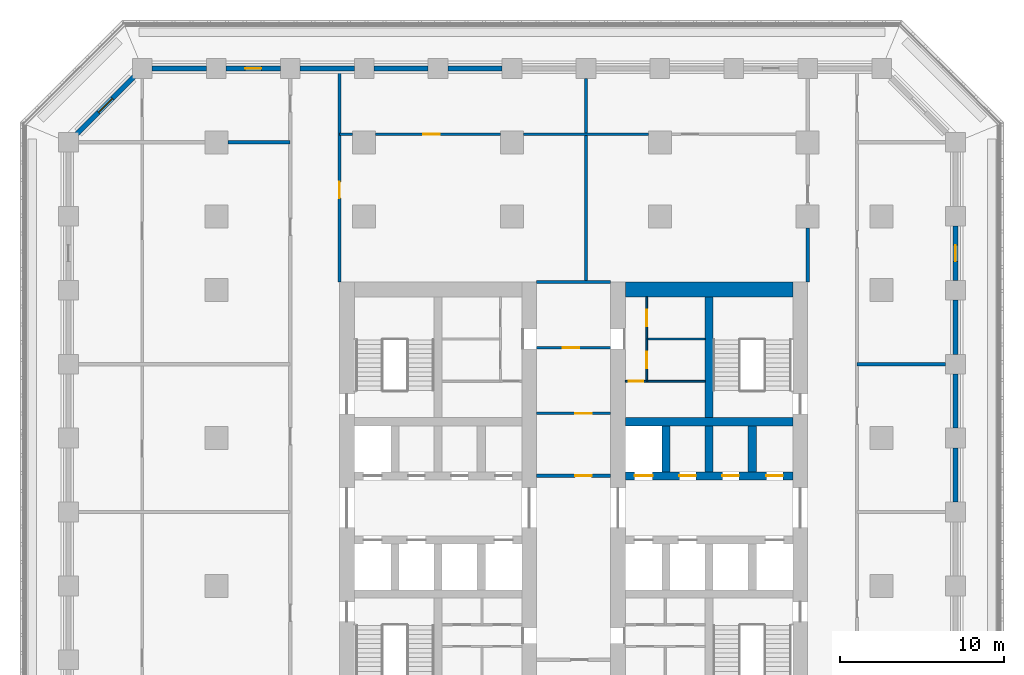
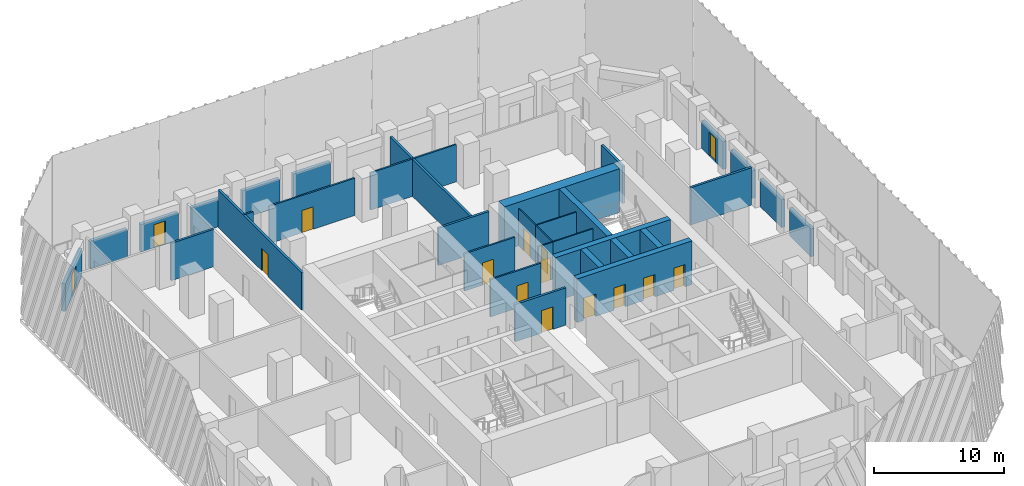
# One storey, part 6 of 17: 34 walls, 15 doors, 15 openings.
"""IFC4 building model written with IfcOpenShell, lengths in metres."""

import ifcopenshell
import ifcopenshell.guid

model = None  # the IFC model being written
_history = None  # IfcOwnerHistory: only IFC2X3 demands one
_inside = {}  # id of a spatial element -> (the spatial element, [elements in it])
_under = {}  # id of a project, library or spatial element -> (it, [spatial elements below it])
_declared = {}  # id of a project -> (the project, [libraries it declares])
_typed = {}  # id of a type object -> (the type object, [elements of that type])
_made_of = {}  # id of a material, layer set ... -> (it, [elements and type objects made of it])


def new_model(schema):
    """Start an empty IFC model of exactly this schema.

    Asked for "IFC4X3", IfcOpenShell would pick the latest addendum, in which some entities
    have other attributes; the version numbers below select the first issue.
    IFC2X3 requires an IfcOwnerHistory on every rooted entity: one is made here for all.
    """
    global model, _history
    if schema == "IFC4X3":
        model = ifcopenshell.file(schema_version=(4, 3, 0, 0))
    else:
        model = ifcopenshell.file(schema=schema)
    _inside.clear()
    _under.clear()
    _declared.clear()
    _typed.clear()
    _made_of.clear()
    _history = None
    if model.schema == "IFC2X3":
        org = make("IfcOrganization", Name="unknown")
        user = make(
            "IfcPersonAndOrganization",
            ThePerson=make("IfcPerson", FamilyName="unknown"),
            TheOrganization=org,
        )
        app = make(
            "IfcApplication",
            ApplicationDeveloper=org,
            Version="unknown",
            ApplicationFullName="unknown",
            ApplicationIdentifier="unknown",
        )
        _history = make(
            "IfcOwnerHistory",
            OwningUser=user,
            OwningApplication=app,
            ChangeAction="ADDED",
            CreationDate=0,
        )
    return model


def make(cls, **values):
    """One entity of the class cls with the attributes given. An attribute that is None is left unset."""
    return model.create_entity(
        cls, **{name: value for name, value in values.items() if value is not None}
    )


def rooted(cls, **values):
    """An entity with a GlobalId (a new one), such as an element, a storey or a relation."""
    return make(cls, GlobalId=ifcopenshell.guid.new(), OwnerHistory=_history, **values)


def si_unit(unit_type, name, prefix=None):
    """IfcSIUnit, for example si_unit("LENGTHUNIT", "METRE", prefix="MILLI")."""
    return make("IfcSIUnit", UnitType=unit_type, Prefix=prefix, Name=name)


def assignment(units):
    """IfcUnitAssignment: the units of a project."""
    return None if units is None else make("IfcUnitAssignment", Units=units)


def point(xyz):
    """IfcCartesianPoint."""
    return None if xyz is None else make("IfcCartesianPoint", Coordinates=xyz)


def direction(xyz):
    """IfcDirection."""
    return None if xyz is None else make("IfcDirection", DirectionRatios=xyz)


def frame(location, z_axis=None, x_axis=None):
    """IfcAxis2Placement3D, a coordinate frame: its origin and axes. An axis left out is left unset."""
    return make(
        "IfcAxis2Placement3D",
        Location=point(location),
        Axis=direction(z_axis),
        RefDirection=direction(x_axis),
    )


def frame_2d(location, x_axis=None):
    """IfcAxis2Placement2D, a coordinate frame in the plane: its origin and x axis."""
    return make(
        "IfcAxis2Placement2D", Location=point(location), RefDirection=direction(x_axis)
    )


def origin():
    """The frame at (0, 0, 0) with its axes left unset."""
    return frame((0.0, 0.0, 0.0))


def place(relative_to, where):
    """IfcLocalPlacement: puts the frame where relative to a parent placement (None: the world)."""
    return make(
        "IfcLocalPlacement", PlacementRelTo=relative_to, RelativePlacement=where
    )


def context(
    kind, dimensions, precision=None, world=None, true_north=None, identifier=None
):
    """IfcGeometricRepresentationContext, for example the 3D "Model" context."""
    return make(
        "IfcGeometricRepresentationContext",
        ContextIdentifier=identifier,
        ContextType=kind,
        CoordinateSpaceDimension=dimensions,
        Precision=precision,
        WorldCoordinateSystem=world,
        TrueNorth=true_north,
    )


def subcontext(parent, identifier, kind, view, scale=None):
    """IfcGeometricRepresentationSubContext, for example "Body" below "Model"."""
    return make(
        "IfcGeometricRepresentationSubContext",
        ContextIdentifier=identifier,
        ContextType=kind,
        ParentContext=parent,
        TargetScale=scale,
        TargetView=view,
    )


def project(units=None, contexts=None):
    """IfcProject with its units and contexts."""
    return rooted(
        "IfcProject",
        Name="project",
        RepresentationContexts=contexts,
        UnitsInContext=assignment(units),
    )


def spatial(cls, under=None, at=None, **own):
    """A site, building, storey or space (cls), placed at a placement, below another one or the project."""
    s = rooted(cls, ObjectPlacement=at, **own)
    if under is not None:
        _under.setdefault(under.id(), (under, []))[1].append(s)
    return s


def profile(cls, at=None, kind="AREA", **sizes):
    """A parametric profile (cls). Its sizes go by their IFC names, for example OverallWidth=200.0."""
    return make(cls, ProfileType=kind, Position=at, **sizes)


def rectangle(**sizes):
    """IfcRectangleProfileDef."""
    return profile("IfcRectangleProfileDef", **sizes)


def extrude(swept, where, along, depth):
    """IfcExtrudedAreaSolid: the profile swept, set in the frame where, extruded along a direction by depth."""
    return make(
        "IfcExtrudedAreaSolid",
        SweptArea=swept,
        Position=where,
        ExtrudedDirection=direction(along),
        Depth=depth,
    )


def shape(context_of_items, identifier, shape_type, items):
    """IfcShapeRepresentation: the items that make up one representation, for example the "Body"."""
    return make(
        "IfcShapeRepresentation",
        ContextOfItems=context_of_items,
        RepresentationIdentifier=identifier,
        RepresentationType=shape_type,
        Items=items,
    )


def material(Name=None, Category=None):
    """IfcMaterial."""
    return make("IfcMaterial", Name=Name, Category=Category)


def layer(
    of_material, thickness, ventilated=None, Name=None, Category=None, Priority=None
):
    """IfcMaterialLayer: one layer of a wall or slab, of a material (None: an air gap)."""
    return make(
        "IfcMaterialLayer",
        Material=of_material,
        LayerThickness=thickness,
        IsVentilated=ventilated,
        Name=Name,
        Category=Category,
        Priority=Priority,
    )


def layer_set(layers, Name=None):
    """IfcMaterialLayerSet."""
    return make("IfcMaterialLayerSet", MaterialLayers=layers, LayerSetName=Name)


def made_of(thing, what):
    """Note that an element or type object is made of a material, layer set ...; save() writes the relation."""
    if what is not None:
        _made_of.setdefault(what.id(), (what, []))[1].append(thing)
    return thing


def type_object(cls, material=None, **own):
    """A type object (cls), such as IfcWallType, which elements share."""
    return made_of(rooted(cls, **own), material)


def element(
    cls,
    number,
    at=None,
    inside=None,
    cuts=None,
    type_object=None,
    material=None,
    context=None,
    identifier="Body",
    shape_type=None,
    held_by="IfcProductDefinitionShape",
    body=None,
    shapes=None,
    **own,
):
    """One element of the class cls, such as IfcWall. Its Tag is "e" and its number.

    at: its placement. inside: the storey or other place that contains it. cuts: it is an
    opening in that element (IfcRelVoidsElement). A single representation is given by context,
    identifier, shape_type and body (its items); several are given by shapes. held_by: the class
    of the entity that holds the representations. save() writes the other relations.
    """
    e = rooted(cls, Tag="e%d" % number, ObjectPlacement=at, **own)
    if body is not None:
        shapes = [shape(context, identifier, shape_type, body)]
    if shapes is not None:
        e.Representation = make(held_by, Representations=shapes)
    if inside is not None:
        _inside.setdefault(inside.id(), (inside, []))[1].append(e)
    if cuts is not None:
        rooted(
            "IfcRelVoidsElement", RelatingBuildingElement=cuts, RelatedOpeningElement=e
        )
    if type_object is not None:
        _typed.setdefault(type_object.id(), (type_object, []))[1].append(e)
    return made_of(e, material)


def fill(opening, filler):
    """IfcRelFillsElement: the door or window that sits in an opening."""
    return rooted(
        "IfcRelFillsElement",
        RelatingOpeningElement=opening,
        RelatedBuildingElement=filler,
    )


def aggregate(whole, parts):
    """IfcRelAggregates: a whole, such as a stair, and the parts it consists of."""
    return rooted("IfcRelAggregates", RelatingObject=whole, RelatedObjects=parts)


def save(model, path):
    """Write the relations noted so far, then the file.

    IfcRelAggregates (storeys below a building ...), IfcRelContainedInSpatialStructure (elements
    in a storey), IfcRelDefinesByType, IfcRelAssociatesMaterial and IfcRelDeclares: one each for
    every whole, place, type object, material and project.
    """
    for whole, parts in _under.values():
        aggregate(whole, parts)
    for where, things in _inside.values():
        rooted(
            "IfcRelContainedInSpatialStructure",
            RelatedElements=things,
            RelatingStructure=where,
        )
    for kind, things in _typed.values():
        rooted("IfcRelDefinesByType", RelatedObjects=things, RelatingType=kind)
    for what, things in _made_of.values():
        rooted("IfcRelAssociatesMaterial", RelatedObjects=things, RelatingMaterial=what)
    for by, libraries in _declared.values():
        rooted("IfcRelDeclares", RelatingContext=by, RelatedDefinitions=libraries)
    model.write(path)


model = new_model("IFC4")

# Units and contexts
model_context = context("Model", 3, precision=1e-05, world=origin(), true_north=direction((0.0, 1.0)))
body_context = subcontext(model_context, "Body", "Model", "MODEL_VIEW")
ifc_project = project(units=[si_unit("LENGTHUNIT", "METRE"), si_unit("AREAUNIT", "SQUARE_METRE"), si_unit("VOLUMEUNIT", "CUBIC_METRE"), si_unit("PLANEANGLEUNIT", "RADIAN"), si_unit("MASSUNIT", "GRAM", prefix="KILO")], contexts=[model_context])

# Site, building, storey
site_placement = place(None, origin())
site = spatial("IfcSite", under=ifc_project, at=site_placement, CompositionType="ELEMENT")
building_placement = place(site_placement, origin())
building = spatial("IfcBuilding", under=site, at=building_placement, Name="Corbel Stack Research Tower", CompositionType="ELEMENT")
storey_placement = place(building_placement, frame((0.0, 0.0, 141.300048828125)))
storey = spatial("IfcBuildingStorey", under=building, at=storey_placement, Name="L32", CompositionType="ELEMENT", Elevation=141.300048828125)

# Wall, openings, doors
ifc_material_1 = material(Name="Concrete C70/85", Category="concrete")
ifc_layer_1 = layer(ifc_material_1, 0.5)
ifc_layer_set_1 = layer_set([ifc_layer_1], Name="Concrete C70/85")
wall_type_1 = type_object("IfcWallType", Name="CW-500-70", PredefinedType="SHEAR", material=ifc_layer_set_1)
wall_1_placement = place(storey_placement, frame((6.89990234375, 6.699951171875, 0.0), z_axis=(0.0, 0.0, 1.0), x_axis=(1.0, 0.0, 0.0)))
wall_1 = element("IfcWall", 1, at=wall_1_placement, inside=storey, type_object=wall_type_1, Name="East core wall, lobby north L32", PredefinedType="SHEAR", context=body_context, shape_type="SweptSolid", body=[
    extrude(rectangle(XDim=10.2001953125, YDim=0.5, at=frame_2d((5.10009765625, 0.0))), origin(), (0.0, 0.0, 1.0), 4.099853515625),
])
opening_1_placement = place(wall_1_placement, frame((0.5625, 0.0, 0.0)))
opening_1 = element("IfcOpeningElement", 2, at=opening_1_placement, cuts=wall_1, Name="Opening LD-LR4", PredefinedType="OPENING", context=body_context, shape_type="SweptSolid", body=[
    extrude(rectangle(XDim=1.10009765625, YDim=2.10009765625, at=frame_2d((0.550048828125, 1.050048828125))), frame((0.0, 0.260009765625, 0.0), z_axis=(0.0, -1.0, 0.0), x_axis=(1.0, 0.0, 0.0)), (0.0, 0.0, 1.0), 0.52001953125),
])
opening_2_placement = place(wall_1_placement, frame((3.28759765625, 0.0, 0.0)))
opening_2 = element("IfcOpeningElement", 3, at=opening_2_placement, cuts=wall_1, Name="Opening CR-E54-N2", PredefinedType="OPENING", context=body_context, shape_type="SweptSolid", body=[
    extrude(rectangle(XDim=1.0, YDim=2.10009765625, at=frame_2d((0.5, 1.050048828125))), frame((0.0, 0.260009765625, 0.0), z_axis=(0.0, -1.0, 0.0), x_axis=(1.0, 0.0, 0.0)), (0.0, 0.0, 1.0), 0.52001953125),
])
opening_3_placement = place(wall_1_placement, frame((5.91259765625, 0.0, 0.0)))
opening_3 = element("IfcOpeningElement", 4, at=opening_3_placement, cuts=wall_1, Name="Opening CR-E54-N3", PredefinedType="OPENING", context=body_context, shape_type="SweptSolid", body=[
    extrude(rectangle(XDim=1.0, YDim=2.10009765625, at=frame_2d((0.5, 1.050048828125))), frame((0.0, 0.260009765625, 0.0), z_axis=(0.0, -1.0, 0.0), x_axis=(1.0, 0.0, 0.0)), (0.0, 0.0, 1.0), 0.52001953125),
])
opening_4_placement = place(wall_1_placement, frame((8.58740234375, 0.0, 0.0)))
opening_4 = element("IfcOpeningElement", 5, at=opening_4_placement, cuts=wall_1, Name="Opening CR-E54-N4", PredefinedType="OPENING", context=body_context, shape_type="SweptSolid", body=[
    extrude(rectangle(XDim=1.0, YDim=2.10009765625, at=frame_2d((0.5, 1.050048828125))), frame((0.0, 0.260009765625, 0.0), z_axis=(0.0, -1.0, 0.0), x_axis=(1.0, 0.0, 0.0)), (0.0, 0.0, 1.0), 0.52001953125),
])
ifc_material_2 = material(Name="Stainless steel landing door", Category="steel")
door_type_1 = type_object("IfcDoorType", Name="Lift landing door 1100 x 2100", OperationType="DOUBLE_DOOR_SLIDING", PredefinedType="DOOR", material=ifc_material_2)
door_1_placement = place(opening_1_placement, origin())
door_1 = element("IfcDoor", 6, at=door_1_placement, inside=storey, type_object=door_type_1, Name="Landing door LR4", OperationType="DOUBLE_DOOR_SLIDING", OverallHeight=2.10009765625, OverallWidth=1.10009765625, PredefinedType="DOOR", context=body_context, shape_type="SweptSolid", body=[
    extrude(rectangle(XDim=1.10009765625, YDim=2.10009765625, at=frame_2d((0.550048828125, 1.050048828125))), frame((0.0, 0.02490234375, 0.0), z_axis=(0.0, -1.0, 0.0), x_axis=(1.0, 0.0, 0.0)), (0.0, 0.0, 1.0), 0.050048828125),
])
fill(opening_1, door_1)
ifc_material_3 = material(Name="Painted steel door", Category="steel")
door_type_2 = type_object("IfcDoorType", Name="Service door 1000 x 2100 FD60 left hand", OperationType="SINGLE_SWING_LEFT", PredefinedType="DOOR", material=ifc_material_3)
door_2_placement = place(opening_3_placement, origin())
door_2 = element("IfcDoor", 7, at=door_2_placement, inside=storey, type_object=door_type_2, Name="Vending bay door E core", OperationType="SINGLE_SWING_LEFT", OverallHeight=2.10009765625, OverallWidth=1.0, PredefinedType="DOOR", context=body_context, shape_type="SweptSolid", body=[
    extrude(rectangle(XDim=1.0, YDim=2.10009765625, at=frame_2d((0.5, 1.050048828125))), frame((0.0, 0.02490234375, 0.0), z_axis=(0.0, -1.0, 0.0), x_axis=(1.0, 0.0, 0.0)), (0.0, 0.0, 1.0), 0.050048828125),
])
fill(opening_3, door_2)
ifc_material_4 = material(Name="Painted steel door", Category="steel")
door_type_3 = type_object("IfcDoorType", Name="Service door 1000 x 2100 FD60 right hand", OperationType="SINGLE_SWING_RIGHT", PredefinedType="DOOR", material=ifc_material_4)
door_3_placement = place(opening_2_placement, origin())
door_3 = element("IfcDoor", 8, at=door_3_placement, inside=storey, type_object=door_type_3, Name="Cleaner's store door E core", OperationType="SINGLE_SWING_RIGHT", OverallHeight=2.10009765625, OverallWidth=1.0, PredefinedType="DOOR", context=body_context, shape_type="SweptSolid", body=[
    extrude(rectangle(XDim=1.0, YDim=2.10009765625, at=frame_2d((0.5, 1.050048828125))), frame((0.0, 0.02490234375, 0.0), z_axis=(0.0, -1.0, 0.0), x_axis=(1.0, 0.0, 0.0)), (0.0, 0.0, 1.0), 0.050048828125),
])
fill(opening_2, door_3)
door_4_placement = place(opening_4_placement, origin())
door_4 = element("IfcDoor", 9, at=door_4_placement, inside=storey, type_object=door_type_3, Name="Mechanical room door E core", OperationType="SINGLE_SWING_RIGHT", OverallHeight=2.10009765625, OverallWidth=1.0, PredefinedType="DOOR", context=body_context, shape_type="SweptSolid", body=[
    extrude(rectangle(XDim=1.0, YDim=2.10009765625, at=frame_2d((0.5, 1.050048828125))), frame((0.0, 0.02490234375, 0.0), z_axis=(0.0, -1.0, 0.0), x_axis=(1.0, 0.0, 0.0)), (0.0, 0.0, 1.0), 0.050048828125),
])
fill(opening_4, door_4)

# Walls
wall_2_placement = place(storey_placement, frame((6.89990234375, 10.0, 0.0), z_axis=(0.0, 0.0, 1.0), x_axis=(1.0, 0.0, 0.0)))
element("IfcWall", 10, at=wall_2_placement, inside=storey, type_object=wall_type_1, Name="East core wall, north row back L32", PredefinedType="SHEAR", context=body_context, shape_type="SweptSolid", body=[
    extrude(rectangle(XDim=10.2001953125, YDim=0.5, at=frame_2d((5.10009765625, 0.0))), origin(), (0.0, 0.0, 1.0), 4.099853515625),
])
for number, where, z_axis, x_axis, name in (
    (11, (9.375, 6.949951171875, 0.0), (0.0, 0.0, 1.0), (0.0, 1.0, 0.0), "East core wall, north shaft 1 L32"),
    (12, (12.0, 6.949951171875, 0.0), (0.0, 0.0, 1.0), (0.0, 1.0, 0.0), "East core wall, north shaft 2 L32"),
    (13, (14.625, 6.949951171875, 0.0), (0.0, 0.0, 1.0), (0.0, 1.0, 0.0), "East core wall, north shaft 3 L32"),
):
    element("IfcWall", number, at=place(storey_placement, frame(where, z_axis=z_axis, x_axis=x_axis)), inside=storey, type_object=wall_type_1, Name=name, PredefinedType="SHEAR", context=body_context, shape_type="SweptSolid", body=[
        extrude(rectangle(XDim=2.800048828125, YDim=0.5, at=frame_2d((1.39990234375, 0.0))), origin(), (0.0, 0.0, 1.0), 4.099853515625),
    ])
wall_3_placement = place(storey_placement, frame((12.0, 10.25, 0.0), z_axis=(0.0, 0.0, 1.0), x_axis=(0.0, 1.0, 0.0)))
element("IfcWall", 14, at=wall_3_placement, inside=storey, type_object=wall_type_1, Name="East core wall, north stair and riser L32", PredefinedType="SHEAR", context=body_context, shape_type="SweptSolid", body=[
    extrude(rectangle(XDim=7.35009765625, YDim=0.5, at=frame_2d((3.675048828125, 0.0))), origin(), (0.0, 0.0, 1.0), 4.099853515625),
])
ifc_material_5 = material(Name="Concrete C70/85", Category="concrete")
ifc_layer_2 = layer(ifc_material_5, 0.89990234375)
ifc_layer_set_2 = layer_set([ifc_layer_2], Name="Concrete C70/85")
wall_type_2 = type_object("IfcWallType", Name="CW-900-70", PredefinedType="SHEAR", material=ifc_layer_set_2)
wall_4_placement = place(storey_placement, frame((6.89990234375, 18.050048828125, 0.0), z_axis=(0.0, 0.0, 1.0), x_axis=(1.0, 0.0, 0.0)))
element("IfcWall", 15, at=wall_4_placement, inside=storey, type_object=wall_type_2, Name="East core wall, north end L32", PredefinedType="SHEAR", context=body_context, shape_type="SweptSolid", body=[
    extrude(rectangle(XDim=10.2001953125, YDim=0.89990234375, at=frame_2d((5.10009765625, 0.0))), origin(), (0.0, 0.0, 1.0), 4.099853515625),
])

# Wall, opening, door
ifc_material_6 = material(Name="Gypsum board")
ifc_layer_3 = layer(ifc_material_6, 0.10009765625)
ifc_layer_set_3 = layer_set([ifc_layer_3], Name="Gypsum board")
wall_type_3 = type_object("IfcWallType", Name="Core partition 100", PredefinedType="PARTITIONING", material=ifc_layer_set_3)
wall_5_placement = place(storey_placement, frame((6.89990234375, 12.455078125, 0.0), z_axis=(0.0, 0.0, 1.0), x_axis=(1.0, 0.0, 0.0)))
wall_5 = element("IfcWall", 16, at=wall_5_placement, inside=storey, type_object=wall_type_3, Name="Core partition E", PredefinedType="PARTITIONING", context=body_context, shape_type="SweptSolid", body=[
    extrude(rectangle(XDim=1.300048828125, YDim=0.10009765625, at=frame_2d((0.64990234375, 0.0))), origin(), (0.0, 0.0, 1.0), 3.5),
])
opening_5_placement = place(wall_5_placement, frame((0.199951171875, 0.0, 0.0)))
opening_5 = element("IfcOpeningElement", 17, at=opening_5_placement, cuts=wall_5, Name="Opening CR-E54-R1-900", PredefinedType="OPENING", context=body_context, shape_type="SweptSolid", body=[
    extrude(rectangle(XDim=0.89990234375, YDim=2.10009765625, at=frame_2d((0.449951171875, 1.050048828125))), frame((0.0, 0.06005859375, 0.0), z_axis=(0.0, -1.0, 0.0), x_axis=(1.0, 0.0, 0.0)), (0.0, 0.0, 1.0), 0.1201171875),
])
ifc_material_7 = material(Name="Painted steel door", Category="steel")
door_type_4 = type_object("IfcDoorType", Name="Riser door 900 x 2100 FD60 right hand", OperationType="SINGLE_SWING_RIGHT", PredefinedType="DOOR", material=ifc_material_7)
door_5_placement = place(opening_5_placement, origin())
door_5 = element("IfcDoor", 18, at=door_5_placement, inside=storey, type_object=door_type_4, Name="Electrical riser door E core", OperationType="SINGLE_SWING_RIGHT", OverallHeight=2.10009765625, OverallWidth=0.89990234375, PredefinedType="DOOR", context=body_context, shape_type="SweptSolid", body=[
    extrude(rectangle(XDim=0.89990234375, YDim=2.10009765625, at=frame_2d((0.449951171875, 1.050048828125))), frame((0.0, 0.02490234375, 0.0), z_axis=(0.0, -1.0, 0.0), x_axis=(1.0, 0.0, 0.0)), (0.0, 0.0, 1.0), 0.050048828125),
])
fill(opening_5, door_5)

# Wall
wall_6_placement = place(storey_placement, frame((8.199951171875, 12.455078125, 0.0), z_axis=(0.0, 0.0, 1.0), x_axis=(1.0, 0.0, 0.0)))
element("IfcWall", 19, at=wall_6_placement, inside=storey, type_object=wall_type_3, Name="Core partition E", PredefinedType="PARTITIONING", context=body_context, shape_type="SweptSolid", body=[
    extrude(rectangle(XDim=3.550048828125, YDim=0.10009765625, at=frame_2d((1.77490234375, 0.0))), origin(), (0.0, 0.0, 1.0), 3.5),
])

# Wall, opening, door
wall_7_placement = place(storey_placement, frame((8.199951171875, 12.455078125, 0.0), z_axis=(0.0, 0.0, 1.0), x_axis=(0.0, 1.0, 0.0)))
wall_7 = element("IfcWall", 20, at=wall_7_placement, inside=storey, type_object=wall_type_3, Name="Core partition E", PredefinedType="PARTITIONING", context=body_context, shape_type="SweptSolid", body=[
    extrude(rectangle(XDim=2.572509765625, YDim=0.10009765625, at=frame_2d((1.2861328125, 0.0))), origin(), (0.0, 0.0, 1.0), 3.5),
])
opening_6_placement = place(wall_7_placement, frame((0.786376953125, 0.0, 0.0)))
opening_6 = element("IfcOpeningElement", 21, at=opening_6_placement, cuts=wall_7, Name="Opening CR-E54-R3-1000", PredefinedType="OPENING", context=body_context, shape_type="SweptSolid", body=[
    extrude(rectangle(XDim=1.0, YDim=2.10009765625, at=frame_2d((0.5, 1.050048828125))), frame((0.0, 0.06005859375, 0.0), z_axis=(0.0, -1.0, 0.0), x_axis=(1.0, 0.0, 0.0)), (0.0, 0.0, 1.0), 0.1201171875),
])
ifc_material_8 = material(Name="Painted steel door", Category="steel")
door_type_5 = type_object("IfcDoorType", Name="Service door 1000 x 2100 FD30 right hand", OperationType="SINGLE_SWING_RIGHT", PredefinedType="DOOR", material=ifc_material_8)
door_6_placement = place(opening_6_placement, origin())
door_6 = element("IfcDoor", 22, at=door_6_placement, inside=storey, type_object=door_type_5, Name="Pantry door E core", OperationType="SINGLE_SWING_RIGHT", OverallHeight=2.10009765625, OverallWidth=1.0, PredefinedType="DOOR", context=body_context, shape_type="SweptSolid", body=[
    extrude(rectangle(XDim=1.0, YDim=2.10009765625, at=frame_2d((0.5, 1.050048828125))), frame((0.0, 0.02490234375, 0.0), z_axis=(0.0, -1.0, 0.0), x_axis=(1.0, 0.0, 0.0)), (0.0, 0.0, 1.0), 0.050048828125),
])
fill(opening_6, door_6)

wall_8_placement = place(storey_placement, frame((8.199951171875, 15.027587890625, 0.0), z_axis=(0.0, 0.0, 1.0), x_axis=(0.0, 1.0, 0.0)))
wall_8 = element("IfcWall", 23, at=wall_8_placement, inside=storey, type_object=wall_type_3, Name="Core partition E", PredefinedType="PARTITIONING", context=body_context, shape_type="SweptSolid", body=[
    extrude(rectangle(XDim=2.572509765625, YDim=0.10009765625, at=frame_2d((1.2861328125, 0.0))), origin(), (0.0, 0.0, 1.0), 3.5),
])
opening_7_placement = place(wall_8_placement, frame((0.7861328125, 0.0, 0.0)))
opening_7 = element("IfcOpeningElement", 24, at=opening_7_placement, cuts=wall_8, Name="Opening CR-E54-R4-1000", PredefinedType="OPENING", context=body_context, shape_type="SweptSolid", body=[
    extrude(rectangle(XDim=1.0, YDim=2.10009765625, at=frame_2d((0.5, 1.050048828125))), frame((0.0, 0.06005859375, 0.0), z_axis=(0.0, -1.0, 0.0), x_axis=(1.0, 0.0, 0.0)), (0.0, 0.0, 1.0), 0.1201171875),
])
ifc_material_9 = material(Name="Painted steel door", Category="steel")
door_type_6 = type_object("IfcDoorType", Name="Service door 1000 x 2100 FD30 left hand", OperationType="SINGLE_SWING_LEFT", PredefinedType="DOOR", material=ifc_material_9)
door_7_placement = place(opening_7_placement, origin())
door_7 = element("IfcDoor", 25, at=door_7_placement, inside=storey, type_object=door_type_6, Name="Copy and supply store door E core", OperationType="SINGLE_SWING_LEFT", OverallHeight=2.10009765625, OverallWidth=1.0, PredefinedType="DOOR", context=body_context, shape_type="SweptSolid", body=[
    extrude(rectangle(XDim=1.0, YDim=2.10009765625, at=frame_2d((0.5, 1.050048828125))), frame((0.0, 0.02490234375, 0.0), z_axis=(0.0, -1.0, 0.0), x_axis=(1.0, 0.0, 0.0)), (0.0, 0.0, 1.0), 0.050048828125),
])
fill(opening_7, door_7)

# Wall
wall_9_placement = place(storey_placement, frame((8.199951171875, 15.027587890625, 0.0), z_axis=(0.0, 0.0, 1.0), x_axis=(1.0, 0.0, 0.0)))
element("IfcWall", 26, at=wall_9_placement, inside=storey, type_object=wall_type_3, Name="Core partition E", PredefinedType="PARTITIONING", context=body_context, shape_type="SweptSolid", body=[
    extrude(rectangle(XDim=3.550048828125, YDim=0.10009765625, at=frame_2d((1.77490234375, 0.0))), origin(), (0.0, 0.0, 1.0), 3.5),
])

# Wall, opening, door
ifc_material_10 = material(Name="Fire-rated gypsum board partition on steel studs", Category="steel")
ifc_layer_4 = layer(ifc_material_10, 0.199951171875)
ifc_layer_set_4 = layer_set([ifc_layer_4], Name="Fire-rated gypsum board partition on steel studs")
wall_type_4 = type_object("IfcWallType", Name="Fire-rated partition 200 EI 60", PredefinedType="PARTITIONING", material=ifc_layer_set_4)
wall_10_placement = place(storey_placement, frame((-10.5, 31.35009765625, 0.0), z_axis=(0.0, 0.0, 1.0), x_axis=(0.0, -1.0, 0.0)))
wall_10 = element("IfcWall", 27, at=wall_10_placement, inside=storey, type_object=wall_type_4, Name="Partition L32-004", PredefinedType="PARTITIONING", context=body_context, shape_type="SweptSolid", body=[
    extrude(rectangle(XDim=12.85009765625, YDim=0.199951171875, at=frame_2d((6.425048828125, 0.0))), origin(), (0.0, 0.0, 1.0), 3.5),
])
opening_8_placement = place(wall_10_placement, frame((6.75, 0.0, 0.0)))
opening_8 = element("IfcOpeningElement", 28, at=opening_8_placement, cuts=wall_10, Name="Opening B4V2-014", PredefinedType="OPENING", context=body_context, shape_type="SweptSolid", body=[
    extrude(rectangle(XDim=1.0, YDim=2.10009765625, at=frame_2d((0.5, 1.050048828125))), frame((0.0, 0.10986328125, 0.0), z_axis=(0.0, -1.0, 0.0), x_axis=(1.0, 0.0, 0.0)), (0.0, 0.0, 1.0), 0.219970703125),
])
ifc_material_11 = material(Name="Painted steel fire door", Category="steel")
door_type_7 = type_object("IfcDoorType", Name="Fire door FD30S 1000 x 2100", OperationType="NOTDEFINED", PredefinedType="DOOR", material=ifc_material_11)
door_8_placement = place(opening_8_placement, origin())
door_8 = element("IfcDoor", 29, at=door_8_placement, inside=storey, type_object=door_type_7, Name="Door B4V2-014", OperationType="SINGLE_SWING_RIGHT", OverallHeight=2.10009765625, OverallWidth=1.0, PredefinedType="DOOR", context=body_context, shape_type="SweptSolid", body=[
    extrude(rectangle(XDim=1.0, YDim=2.10009765625, at=frame_2d((0.5, 1.050048828125))), frame((0.0, 0.02490234375, 0.0), z_axis=(0.0, -1.0, 0.0), x_axis=(1.0, 0.0, 0.0)), (0.0, 0.0, 1.0), 0.050048828125),
])
fill(opening_8, door_8)

# Walls
wall_11_placement = place(storey_placement, frame((4.5, 18.5, 0.0), z_axis=(0.0, 0.0, 1.0), x_axis=(0.0, 1.0, 0.0)))
element("IfcWall", 30, at=wall_11_placement, inside=storey, type_object=wall_type_4, Name="Partition L32-006", PredefinedType="PARTITIONING", context=body_context, shape_type="SweptSolid", body=[
    extrude(rectangle(XDim=12.39990234375, YDim=0.199951171875, at=frame_2d((6.199951171875, 0.0))), origin(), (0.0, 0.0, 1.0), 3.5),
])
wall_12_placement = place(storey_placement, frame((18.0, 18.5, 0.0), z_axis=(0.0, 0.0, 1.0), x_axis=(0.0, 1.0, 0.0)))
element("IfcWall", 31, at=wall_12_placement, inside=storey, type_object=wall_type_4, Name="Partition L32-009", PredefinedType="PARTITIONING", context=body_context, shape_type="SweptSolid", body=[
    extrude(rectangle(XDim=3.300048828125, YDim=0.199951171875, at=frame_2d((1.64990234375, 0.0))), origin(), (0.0, 0.0, 1.0), 3.5),
])

# Wall, opening, door
wall_13_placement = place(storey_placement, frame((1.5, 6.699951171875, 0.0), z_axis=(0.0, 0.0, 1.0), x_axis=(1.0, 0.0, 0.0)))
wall_13 = element("IfcWall", 32, at=wall_13_placement, inside=storey, type_object=wall_type_4, Name="Partition L32-025", PredefinedType="PARTITIONING", context=body_context, shape_type="SweptSolid", body=[
    extrude(rectangle(XDim=4.5, YDim=0.199951171875, at=frame_2d((2.25, 0.0))), origin(), (0.0, 0.0, 1.0), 3.5),
])
opening_9_placement = place(wall_13_placement, frame((2.35009765625, 0.0, 0.0)))
opening_9 = element("IfcOpeningElement", 33, at=opening_9_placement, cuts=wall_13, Name="Opening B4V2-016", PredefinedType="OPENING", context=body_context, shape_type="SweptSolid", body=[
    extrude(rectangle(XDim=1.0, YDim=2.10009765625, at=frame_2d((0.5, 1.050048828125))), frame((0.0, 0.10986328125, 0.0), z_axis=(0.0, -1.0, 0.0), x_axis=(1.0, 0.0, 0.0)), (0.0, 0.0, 1.0), 0.219970703125),
])
door_9_placement = place(opening_9_placement, origin())
door_9 = element("IfcDoor", 34, at=door_9_placement, inside=storey, type_object=door_type_7, Name="Door B4V2-016", OperationType="SINGLE_SWING_RIGHT", OverallHeight=2.10009765625, OverallWidth=1.0, PredefinedType="DOOR", context=body_context, shape_type="SweptSolid", body=[
    extrude(rectangle(XDim=1.0, YDim=2.10009765625, at=frame_2d((0.5, 1.050048828125))), frame((0.0, 0.02490234375, 0.0), z_axis=(0.0, -1.0, 0.0), x_axis=(1.0, 0.0, 0.0)), (0.0, 0.0, 1.0), 0.050048828125),
])
fill(opening_9, door_9)

# Walls
wall_14_placement = place(storey_placement, frame((21.0, 13.5, 0.0), z_axis=(0.0, 0.0, 1.0), x_axis=(1.0, 0.0, 0.0)))
element("IfcWall", 35, at=wall_14_placement, inside=storey, type_object=wall_type_4, Name="Partition L32-028", PredefinedType="PARTITIONING", context=body_context, shape_type="SweptSolid", body=[
    extrude(rectangle(XDim=5.39990234375, YDim=0.199951171875, at=frame_2d((2.699951171875, 0.0))), origin(), (0.0, 0.0, 1.0), 3.5),
])
wall_15_placement = place(storey_placement, frame((1.5, 18.5, 0.0), z_axis=(0.0, 0.0, 1.0), x_axis=(1.0, 0.0, 0.0)))
element("IfcWall", 36, at=wall_15_placement, inside=storey, type_object=wall_type_4, Name="Partition L32-030", PredefinedType="PARTITIONING", context=body_context, shape_type="SweptSolid", body=[
    extrude(rectangle(XDim=4.5, YDim=0.199951171875, at=frame_2d((2.25, 0.0))), origin(), (0.0, 0.0, 1.0), 3.5),
])
wall_16_placement = place(storey_placement, frame((-17.300048828125, 27.0, 0.0), z_axis=(0.0, 0.0, 1.0), x_axis=(1.0, 0.0, 0.0)))
element("IfcWall", 37, at=wall_16_placement, inside=storey, type_object=wall_type_4, Name="Partition L32-032", PredefinedType="PARTITIONING", context=body_context, shape_type="SweptSolid", body=[
    extrude(rectangle(XDim=3.800048828125, YDim=0.199951171875, at=frame_2d((1.89990234375, 0.0))), origin(), (0.0, 0.0, 1.0), 3.5),
])

# Wall, opening, door
ifc_material_12 = material(Name="Gypsum board partition on steel studs", Category="steel")
ifc_layer_5 = layer(ifc_material_12, 0.14990234375)
ifc_layer_set_5 = layer_set([ifc_layer_5], Name="Gypsum board partition on steel studs")
wall_type_5 = type_object("IfcWallType", Name="Partition 150", PredefinedType="PARTITIONING", material=ifc_layer_set_5)
wall_17_placement = place(storey_placement, frame((1.5, 10.5, 0.0), z_axis=(0.0, 0.0, 1.0), x_axis=(1.0, 0.0, 0.0)))
wall_17 = element("IfcWall", 38, at=wall_17_placement, inside=storey, type_object=wall_type_5, Name="Partition L32-026", PredefinedType="PARTITIONING", context=body_context, shape_type="SweptSolid", body=[
    extrude(rectangle(XDim=4.5, YDim=0.14990234375, at=frame_2d((2.25, 0.0))), origin(), (0.0, 0.0, 1.0), 3.5),
])
opening_10_placement = place(wall_17_placement, frame((2.35009765625, 0.0, 0.0)))
opening_10 = element("IfcOpeningElement", 39, at=opening_10_placement, cuts=wall_17, Name="Opening B4V2-017", PredefinedType="OPENING", context=body_context, shape_type="SweptSolid", body=[
    extrude(rectangle(XDim=1.0, YDim=2.10009765625, at=frame_2d((0.5, 1.050048828125))), frame((0.0, 0.0849609375, 0.0), z_axis=(0.0, -1.0, 0.0), x_axis=(1.0, 0.0, 0.0)), (0.0, 0.0, 1.0), 0.169921875),
])
ifc_material_13 = material(Name="Painted timber door", Category="wood")
door_type_8 = type_object("IfcDoorType", Name="Single door 1000 x 2100", OperationType="NOTDEFINED", PredefinedType="DOOR", material=ifc_material_13)
door_10_placement = place(opening_10_placement, origin())
door_10 = element("IfcDoor", 40, at=door_10_placement, inside=storey, type_object=door_type_8, Name="Door B4V2-017", OperationType="SINGLE_SWING_RIGHT", OverallHeight=2.10009765625, OverallWidth=1.0, PredefinedType="DOOR", context=body_context, shape_type="SweptSolid", body=[
    extrude(rectangle(XDim=1.0, YDim=2.10009765625, at=frame_2d((0.5, 1.050048828125))), frame((0.0, 0.02490234375, 0.0), z_axis=(0.0, -1.0, 0.0), x_axis=(1.0, 0.0, 0.0)), (0.0, 0.0, 1.0), 0.050048828125),
])
fill(opening_10, door_10)

wall_18_placement = place(storey_placement, frame((1.5, 14.5, 0.0), z_axis=(0.0, 0.0, 1.0), x_axis=(1.0, 0.0, 0.0)))
wall_18 = element("IfcWall", 41, at=wall_18_placement, inside=storey, type_object=wall_type_5, Name="Partition L32-029", PredefinedType="PARTITIONING", context=body_context, shape_type="SweptSolid", body=[
    extrude(rectangle(XDim=4.5, YDim=0.14990234375, at=frame_2d((2.25, 0.0))), origin(), (0.0, 0.0, 1.0), 3.5),
])
opening_11_placement = place(wall_18_placement, frame((1.60009765625, 0.0, 0.0)))
opening_11 = element("IfcOpeningElement", 42, at=opening_11_placement, cuts=wall_18, Name="Opening B4V2-018", PredefinedType="OPENING", context=body_context, shape_type="SweptSolid", body=[
    extrude(rectangle(XDim=1.0, YDim=2.10009765625, at=frame_2d((0.5, 1.050048828125))), frame((0.0, 0.0849609375, 0.0), z_axis=(0.0, -1.0, 0.0), x_axis=(1.0, 0.0, 0.0)), (0.0, 0.0, 1.0), 0.169921875),
])
door_11_placement = place(opening_11_placement, origin())
door_11 = element("IfcDoor", 43, at=door_11_placement, inside=storey, type_object=door_type_8, Name="Door B4V2-018", OperationType="SINGLE_SWING_LEFT", OverallHeight=2.10009765625, OverallWidth=1.0, PredefinedType="DOOR", context=body_context, shape_type="SweptSolid", body=[
    extrude(rectangle(XDim=1.0, YDim=2.10009765625, at=frame_2d((0.5, 1.050048828125))), frame((0.0, 0.02490234375, 0.0), z_axis=(0.0, -1.0, 0.0), x_axis=(1.0, 0.0, 0.0)), (0.0, 0.0, 1.0), 0.050048828125),
])
fill(opening_11, door_11)

# Wall
wall_19_placement = place(storey_placement, frame((-10.5, 27.5, 0.0), z_axis=(0.0, 0.0, 1.0), x_axis=(1.0, 0.0, 0.0)))
element("IfcWall", 44, at=wall_19_placement, inside=storey, type_object=wall_type_5, Name="Partition L32-034", PredefinedType="PARTITIONING", context=body_context, shape_type="SweptSolid", body=[
    extrude(rectangle(XDim=0.800048828125, YDim=0.14990234375, at=frame_2d((0.39990234375, 0.0))), origin(), (0.0, 0.0, 1.0), 3.5),
])

# Wall, opening, door
wall_20_placement = place(storey_placement, frame((-8.300048828125, 27.5, 0.0), z_axis=(0.0, 0.0, 1.0), x_axis=(1.0, 0.0, 0.0)))
wall_20 = element("IfcWall", 45, at=wall_20_placement, inside=storey, type_object=wall_type_5, Name="Partition L32-035", PredefinedType="PARTITIONING", context=body_context, shape_type="SweptSolid", body=[
    extrude(rectangle(XDim=7.60009765625, YDim=0.14990234375, at=frame_2d((3.800048828125, 0.0))), origin(), (0.0, 0.0, 1.0), 3.5),
])
opening_12_placement = place(wall_20_placement, frame((2.89990234375, 0.0, 0.0)))
opening_12 = element("IfcOpeningElement", 46, at=opening_12_placement, cuts=wall_20, Name="Opening B4V2-026", PredefinedType="OPENING", context=body_context, shape_type="SweptSolid", body=[
    extrude(rectangle(XDim=1.0, YDim=2.10009765625, at=frame_2d((0.5, 1.050048828125))), frame((0.0, 0.0849609375, 0.0), z_axis=(0.0, -1.0, 0.0), x_axis=(1.0, 0.0, 0.0)), (0.0, 0.0, 1.0), 0.169921875),
])
door_12_placement = place(opening_12_placement, origin())
door_12 = element("IfcDoor", 47, at=door_12_placement, inside=storey, type_object=door_type_8, Name="Door B4V2-026", OperationType="SINGLE_SWING_LEFT", OverallHeight=2.10009765625, OverallWidth=1.0, PredefinedType="DOOR", context=body_context, shape_type="SweptSolid", body=[
    extrude(rectangle(XDim=1.0, YDim=2.10009765625, at=frame_2d((0.5, 1.050048828125))), frame((0.0, 0.02490234375, 0.0), z_axis=(0.0, -1.0, 0.0), x_axis=(1.0, 0.0, 0.0)), (0.0, 0.0, 1.0), 0.050048828125),
])
fill(opening_12, door_12)

# Walls
wall_21_placement = place(storey_placement, frame((0.699951171875, 27.5, 0.0), z_axis=(0.0, 0.0, 1.0), x_axis=(1.0, 0.0, 0.0)))
element("IfcWall", 48, at=wall_21_placement, inside=storey, type_object=wall_type_5, Name="Partition L32-036", PredefinedType="PARTITIONING", context=body_context, shape_type="SweptSolid", body=[
    extrude(rectangle(XDim=7.60009765625, YDim=0.14990234375, at=frame_2d((3.800048828125, 0.0))), origin(), (0.0, 0.0, 1.0), 3.5),
])
ifc_material_14 = material(Name="Concrete C45/55", Category="concrete")
ifc_layer_6 = layer(ifc_material_14, 0.300048828125)
ifc_layer_set_6 = layer_set([ifc_layer_6], Name="Concrete C45/55")
wall_type_6 = type_object("IfcWallType", Name="Terracotta-faced concrete wall 300", PredefinedType="SOLIDWALL", material=ifc_layer_set_6)
for number, where, z_axis, x_axis, name in (
    (49, (27.0, 8.39990234375, 0.0), (0.0, 0.0, 1.0), (0.0, -1.0, 0.0), "Facade wall L32 E06"),
    (50, (27.0, 12.89990234375, 0.0), (0.0, 0.0, 1.0), (0.0, -1.0, 0.0), "Facade wall L32 E07"),
    (51, (27.0, 17.39990234375, 0.0), (0.0, 0.0, 1.0), (0.0, -1.0, 0.0), "Facade wall L32 E08"),
):
    element("IfcWall", number, at=place(storey_placement, frame(where, z_axis=z_axis, x_axis=x_axis)), inside=storey, type_object=wall_type_6, Name=name, PredefinedType="SOLIDWALL", context=body_context, shape_type="SweptSolid", body=[
        extrude(rectangle(XDim=3.2998046875, YDim=0.300048828125, at=frame_2d((1.64990234375, 0.0))), origin(), (0.0, 0.0, 1.0), 2.599853515625),
    ])

# Wall, opening, door
wall_22_placement = place(storey_placement, frame((27.0, 21.89990234375, 0.0), z_axis=(0.0, 0.0, 1.0), x_axis=(0.0, -1.0, 0.0)))
wall_22 = element("IfcWall", 52, at=wall_22_placement, inside=storey, type_object=wall_type_6, Name="Facade wall L32 E09", PredefinedType="SOLIDWALL", context=body_context, shape_type="SweptSolid", body=[
    extrude(rectangle(XDim=3.2998046875, YDim=0.300048828125, at=frame_2d((1.64990234375, 0.0))), origin(), (0.0, 0.0, 1.0), 2.599853515625),
])
opening_13_placement = place(wall_22_placement, frame((1.14990234375, 0.0, 0.0)))
opening_13 = element("IfcOpeningElement", 53, at=opening_13_placement, cuts=wall_22, Name="Opening L32-B05", PredefinedType="OPENING", context=body_context, shape_type="SweptSolid", body=[
    extrude(rectangle(XDim=1.0, YDim=2.199951171875, at=frame_2d((0.5, 1.10009765625))), frame((0.0, 0.159912109375, 0.0), z_axis=(0.0, -1.0, 0.0), x_axis=(1.0, 0.0, 0.0)), (0.0, 0.0, 1.0), 0.320068359375),
])
ifc_material_15 = material(Name="Aluminium frame, clear double glazing", Category="aluminium")
door_type_9 = type_object("IfcDoorType", Name="Balcony door BD1 1000 x 2200", OperationType="NOTDEFINED", PredefinedType="DOOR", material=ifc_material_15)
door_13_placement = place(opening_13_placement, origin())
door_13 = element("IfcDoor", 54, at=door_13_placement, inside=storey, type_object=door_type_9, Name="Balcony door L32-B05", OperationType="SINGLE_SWING_LEFT", OverallHeight=2.199951171875, OverallWidth=1.0, PredefinedType="DOOR", context=body_context, shape_type="SweptSolid", body=[
    extrude(rectangle(XDim=1.0, YDim=2.199951171875, at=frame_2d((0.5, 1.10009765625))), frame((0.0, 0.02490234375, 0.0), z_axis=(0.0, -1.0, 0.0), x_axis=(1.0, 0.0, 0.0)), (0.0, 0.0, 1.0), 0.050048828125),
])
fill(opening_13, door_13)

# Walls
for number, where, z_axis, x_axis, name in (
    (55, (-3.89990234375, 31.5, 0.0), (0.0, 0.0, 1.0), (1.0, 0.0, 0.0), "Facade wall L32 N06"),
    (56, (-8.39990234375, 31.5, 0.0), (0.0, 0.0, 1.0), (1.0, 0.0, 0.0), "Facade wall L32 N07"),
    (57, (-12.89990234375, 31.5, 0.0), (0.0, 0.0, 1.0), (1.0, 0.0, 0.0), "Facade wall L32 N08"),
):
    element("IfcWall", number, at=place(storey_placement, frame(where, z_axis=z_axis, x_axis=x_axis)), inside=storey, type_object=wall_type_6, Name=name, PredefinedType="SOLIDWALL", context=body_context, shape_type="SweptSolid", body=[
        extrude(rectangle(XDim=3.2998046875, YDim=0.300048828125, at=frame_2d((1.64990234375, 0.0))), origin(), (0.0, 0.0, 1.0), 2.599853515625),
    ])

# Wall, opening, door
wall_23_placement = place(storey_placement, frame((-17.39990234375, 31.5, 0.0), z_axis=(0.0, 0.0, 1.0), x_axis=(1.0, 0.0, 0.0)))
wall_23 = element("IfcWall", 58, at=wall_23_placement, inside=storey, type_object=wall_type_6, Name="Facade wall L32 N09", PredefinedType="SOLIDWALL", context=body_context, shape_type="SweptSolid", body=[
    extrude(rectangle(XDim=3.2998046875, YDim=0.300048828125, at=frame_2d((1.64990234375, 0.0))), origin(), (0.0, 0.0, 1.0), 2.599853515625),
])
opening_14_placement = place(wall_23_placement, frame((1.14990234375, 0.0, 0.0)))
opening_14 = element("IfcOpeningElement", 59, at=opening_14_placement, cuts=wall_23, Name="Opening L32-B08", PredefinedType="OPENING", context=body_context, shape_type="SweptSolid", body=[
    extrude(rectangle(XDim=1.0, YDim=2.199951171875, at=frame_2d((0.5, 1.10009765625))), frame((0.0, 0.159912109375, 0.0), z_axis=(0.0, -1.0, 0.0), x_axis=(1.0, 0.0, 0.0)), (0.0, 0.0, 1.0), 0.320068359375),
])
door_14_placement = place(opening_14_placement, origin())
door_14 = element("IfcDoor", 60, at=door_14_placement, inside=storey, type_object=door_type_9, Name="Balcony door L32-B08", OperationType="SINGLE_SWING_LEFT", OverallHeight=2.199951171875, OverallWidth=1.0, PredefinedType="DOOR", context=body_context, shape_type="SweptSolid", body=[
    extrude(rectangle(XDim=1.0, YDim=2.199951171875, at=frame_2d((0.5, 1.10009765625))), frame((0.0, 0.02490234375, 0.0), z_axis=(0.0, -1.0, 0.0), x_axis=(1.0, 0.0, 0.0)), (0.0, 0.0, 1.0), 0.050048828125),
])
fill(opening_14, door_14)

# Wall
wall_24_placement = place(storey_placement, frame((-21.89990234375, 31.5, 0.0), z_axis=(0.0, 0.0, 1.0), x_axis=(1.0, 0.0, 0.0)))
element("IfcWall", 61, at=wall_24_placement, inside=storey, type_object=wall_type_6, Name="Facade wall L32 N10", PredefinedType="SOLIDWALL", context=body_context, shape_type="SweptSolid", body=[
    extrude(rectangle(XDim=3.2998046875, YDim=0.300048828125, at=frame_2d((1.64990234375, 0.0))), origin(), (0.0, 0.0, 1.0), 2.599853515625),
])

# Wall, opening, door
wall_25_placement = place(storey_placement, frame((-26.506103515625, 27.493896484375, 0.0), z_axis=(0.0, 0.0, 1.0), x_axis=(0.707106781187, 0.707106781187, 0.0)))
wall_25 = element("IfcWall", 62, at=wall_25_placement, inside=storey, type_object=wall_type_6, Name="Facade wall L32 NW01", PredefinedType="SOLIDWALL", context=body_context, shape_type="SweptSolid", body=[
    extrude(rectangle(XDim=4.967041015625, YDim=0.300048828125, at=frame_2d((2.4833984375, 0.0))), origin(), (0.0, 0.0, 1.0), 2.599853515625),
])
opening_15_placement = place(wall_25_placement, frame((1.883544921875, 0.0, 0.0)))
opening_15 = element("IfcOpeningElement", 63, at=opening_15_placement, cuts=wall_25, Name="Opening L32-B09", PredefinedType="OPENING", context=body_context, shape_type="SweptSolid", body=[
    extrude(rectangle(XDim=1.199951171875, YDim=2.199951171875, at=frame_2d((0.60009765625, 1.10009765625))), frame((0.0, 0.159912109375, 0.0), z_axis=(0.0, -1.0, 0.0), x_axis=(1.0, 0.0, 0.0)), (0.0, 0.0, 1.0), 0.320068359375),
])
ifc_material_16 = material(Name="Aluminium frame, clear double glazing", Category="aluminium")
door_type_10 = type_object("IfcDoorType", Name="Balcony door BD2 1200 x 2200", OperationType="NOTDEFINED", PredefinedType="DOOR", material=ifc_material_16)
door_15_placement = place(opening_15_placement, origin())
door_15 = element("IfcDoor", 64, at=door_15_placement, inside=storey, type_object=door_type_10, Name="Balcony door L32-B09", OperationType="SINGLE_SWING_LEFT", OverallHeight=2.199951171875, OverallWidth=1.199951171875, PredefinedType="DOOR", context=body_context, shape_type="SweptSolid", body=[
    extrude(rectangle(XDim=1.199951171875, YDim=2.199951171875, at=frame_2d((0.60009765625, 1.10009765625))), frame((0.0, 0.02490234375, 0.0), z_axis=(0.0, -1.0, 0.0), x_axis=(1.0, 0.0, 0.0)), (0.0, 0.0, 1.0), 0.050048828125),
])
fill(opening_15, door_15)

save(model, "model.ifc")
